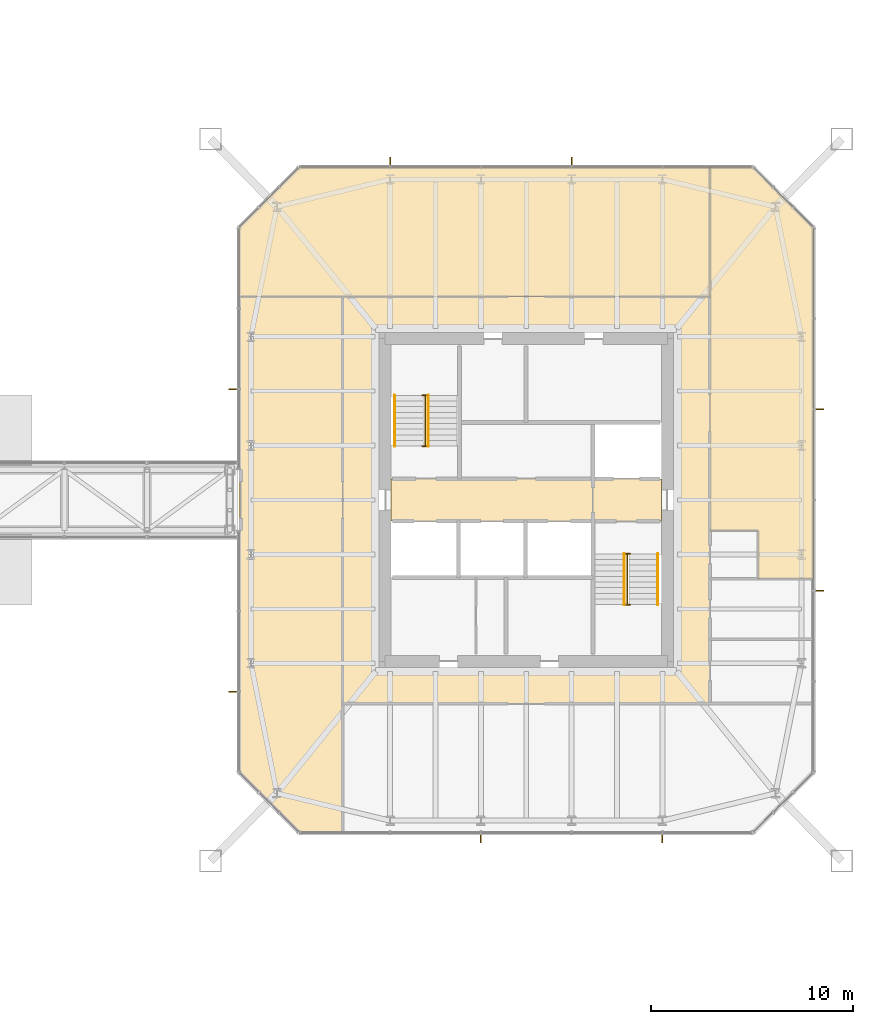
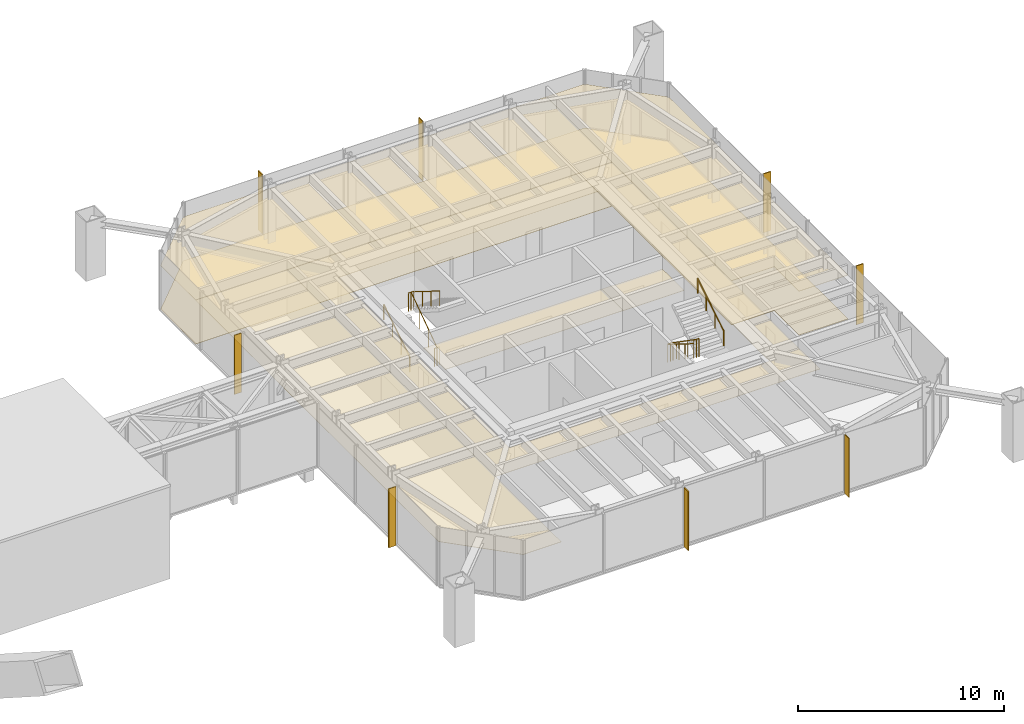
# One storey, part 28 of 28: 8 coverings, 8 shading devices, 6 railings.
"""IFC4 building model written with IfcOpenShell, lengths in metres."""

from ifc_helpers import new_model, si_unit, direction, frame, origin, origin_2d, place, context, subcontext, project, spatial, polyline, rectangle, circle, outline, extrude, material, layer, layer_set, constituent, constituent_set, type_object, element, save


model = new_model("IFC4")

# Units and contexts
model_context = context("Model", 3, precision=1e-05, world=origin(), true_north=direction((0.0, 1.0)))
body_context = subcontext(model_context, "Body", "Model", "MODEL_VIEW")
ifc_project = project(units=[si_unit("LENGTHUNIT", "METRE"), si_unit("AREAUNIT", "SQUARE_METRE"), si_unit("VOLUMEUNIT", "CUBIC_METRE"), si_unit("PLANEANGLEUNIT", "RADIAN"), si_unit("MASSUNIT", "GRAM", prefix="KILO")], contexts=[model_context])

# Site, building, storey
site_placement = place(None, origin())
site = spatial("IfcSite", under=ifc_project, at=site_placement, CompositionType="ELEMENT")
building_placement = place(site_placement, origin())
building = spatial("IfcBuilding", under=site, at=building_placement, Name="Iwan Alto Co-Living Towers", CompositionType="ELEMENT")
storey_placement = place(building_placement, frame((0.0, 0.0, 98.0)))
storey = spatial("IfcBuildingStorey", under=building, at=storey_placement, Name="L26", CompositionType="ELEMENT", Elevation=98.0)

# Coverings
ifc_material_1 = material(Name="Mineral fibre acoustic tiles on steel grid", Category="steel")
ifc_layer_1 = layer(ifc_material_1, 0.02001953125)
ifc_layer_set_1 = layer_set([ifc_layer_1], Name="ACOUSTIC TILE CEILING 20")
covering_type_1 = type_object("IfcCoveringType", Name="ACOUSTIC TILE CEILING 20", PredefinedType="CEILING", material=ifc_layer_set_1)
covering_1_placement = place(storey_placement, frame((0.0, 0.0, 2.60009765625)))
element("IfcCovering", 1, at=covering_1_placement, inside=storey, type_object=covering_type_1, Name="Ceiling Lift lobby L26", PredefinedType="CEILING", context=body_context, shape_type="SweptSolid", body=[
    extrude(outline(polyline([(56.300048828125, -1.050048828125), (56.300048828125, 1.050048828125), (66.300048828125, 1.050048828125), (66.300048828125, -1.050048828125), (56.300048828125, -1.050048828125)])), origin(), (0.0, 0.0, 1.0), 0.02001953125),
])
covering_2_placement = place(storey_placement, frame((0.0, 0.0, 2.60009765625)))
element("IfcCovering", 2, at=covering_2_placement, inside=storey, type_object=covering_type_1, Name="Ceiling Firefighting lobby L26", PredefinedType="CEILING", context=body_context, shape_type="SweptSolid", body=[
    extrude(outline(polyline([(66.300048828125, -1.050048828125), (66.300048828125, 1.050048828125), (69.699951171875, 1.050048828125), (69.699951171875, -1.050048828125), (66.300048828125, -1.050048828125)])), origin(), (0.0, 0.0, 1.0), 0.02001953125),
])
covering_3_placement = place(storey_placement, frame((0.0, 0.0, 2.60009765625)))
element("IfcCovering", 3, at=covering_3_placement, inside=storey, type_object=covering_type_1, Name="Ceiling Sky lobby and bridge landing L26", PredefinedType="CEILING", context=body_context, shape_type="SweptSolid", body=[
    extrude(outline(polyline([(53.89990234375, -16.5), (51.75, -16.5), (48.75, -13.5), (48.75, 10.10009765625), (53.89990234375, 10.10009765625), (53.89990234375, -16.5)])), origin(), (0.0, 0.0, 1.0), 0.02001953125),
])

# Shading devices
ifc_material_2 = material(Name="Aluminium 6063-T6 bronze anodised", Category="aluminium")
ifc_layer_2 = layer(ifc_material_2, 0.050048828125)
ifc_layer_set_2 = layer_set([ifc_layer_2], Name="BRONZE FIN 50X400")
shading_device_type = type_object("IfcShadingDeviceType", Name="BRONZE FIN 50X400", PredefinedType="USERDEFINED", material=ifc_layer_set_2)
for number, where, z_axis, x_axis, name in (
    (4, (60.75, -16.800048828125, 0.0), (0.0, 0.0, 1.0), (1.0, 0.0, 0.0), "Bronze fin L26"),
    (5, (69.75, -16.800048828125, 0.0), (0.0, 0.0, 1.0), (1.0, 0.0, 0.0), "Bronze fin L26"),
    (6, (77.550048828125, -4.5, 0.0), (0.0, 0.0, 1.0), (0.0, 1.0, 0.0), "Bronze fin L26"),
    (7, (77.550048828125, 4.5, 0.0), (0.0, 0.0, 1.0), (0.0, 1.0, 0.0), "Bronze fin L26"),
    (8, (65.25, 16.800048828125, 0.0), (0.0, 0.0, 1.0), (-1.0, 0.0, 0.0), "Bronze fin L26"),
    (9, (56.25, 16.800048828125, 0.0), (0.0, 0.0, 1.0), (-1.0, 0.0, 0.0), "Bronze fin L26"),
    (10, (48.449951171875, 5.5, 0.0), (0.0, 0.0, 1.0), (0.0, -1.0, 0.0), "Bronze fin L26"),
    (11, (48.449951171875, -9.5, 0.0), (0.0, 0.0, 1.0), (0.0, -1.0, 0.0), "Bronze fin L26"),
):
    element("IfcShadingDevice", number, at=place(storey_placement, frame(where, z_axis=z_axis, x_axis=x_axis)), inside=storey, type_object=shading_device_type, Name=name, ObjectType="LOUVER", PredefinedType="USERDEFINED", context=body_context, shape_type="SweptSolid", body=[
        extrude(rectangle(XDim=0.050048828125, YDim=0.39990234375, at=origin_2d()), origin(), (0.0, 0.0, 1.0), 3.5),
    ])

# Railings
ifc_material_3 = material(Name="Steel ASTM A500 Gr C", Category="steel")
ifc_constituent_1 = constituent(ifc_material_3, Name="Rails and posts", Category="Framing")
ifc_material_4 = material(Name="Steel ASTM A36", Category="steel")
ifc_constituent_2 = constituent(ifc_material_4, Name="Bar infill", Category="Infill")
ifc_constituent_set = constituent_set(constituents=[ifc_constituent_1, ifc_constituent_2], Name="STAIR GUARD 1100")
railing_type_1 = type_object("IfcRailingType", Name="STAIR GUARD 1100", PredefinedType="GUARDRAIL", material=ifc_constituent_set)
railing_1_placement = place(storey_placement, frame((58.0, 2.669921875, 0.0)))
element("IfcRailing", 12, at=railing_1_placement, inside=storey, type_object=railing_type_1, Name="Stair T2-S1 well guard L26", PredefinedType="GUARDRAIL", context=body_context, shape_type="SweptSolid", body=[
    extrude(circle(Radius=0.02392578125, at=origin_2d()), frame((0.0, 0.0, 1.076171875), z_axis=(0.0, 0.821372036852, 0.570392826987), x_axis=(-1.0, 0.0, 0.0)), (0.0, 0.0, 1.0), 3.068115234375),
    extrude(circle(Radius=0.02392578125, at=origin_2d()), frame((-0.14990234375, 0.0, 1.076171875), z_axis=(1.0, 0.0, 0.0), x_axis=(0.0, 1.0, 0.0)), (0.0, 0.0, 1.0), 0.2998046875),
    extrude(circle(Radius=0.02392578125, at=origin_2d()), frame((-0.14990234375, 2.52001953125, 2.826171875), z_axis=(1.0, 0.0, 0.0), x_axis=(0.0, 1.0, 0.0)), (0.0, 0.0, 1.0), 0.2998046875),
    extrude(circle(Radius=0.02099609375, at=origin_2d()), origin(), (0.0, 0.0, 1.0), 1.052001953125),
    extrude(circle(Radius=0.02099609375, at=origin_2d()), frame((0.0, 0.840087890625, 0.583251953125)), (0.0, 0.0, 1.0), 1.052001953125),
    extrude(circle(Radius=0.02099609375, at=origin_2d()), frame((0.0, 1.679931640625, 1.166748046875)), (0.0, 0.0, 1.0), 1.052001953125),
    extrude(circle(Radius=0.02099609375, at=origin_2d()), frame((0.0, 2.52001953125, 1.75)), (0.0, 0.0, 1.0), 1.052001953125),
    extrude(circle(Radius=0.02099609375, at=origin_2d()), frame((-0.14990234375, 0.0, 0.0)), (0.0, 0.0, 1.0), 1.052001953125),
    extrude(circle(Radius=0.02099609375, at=origin_2d()), frame((0.14990234375, 0.0, 0.0)), (0.0, 0.0, 1.0), 1.052001953125),
    extrude(circle(Radius=0.02099609375, at=origin_2d()), frame((-0.14990234375, 2.52001953125, 1.75)), (0.0, 0.0, 1.0), 1.052001953125),
    extrude(circle(Radius=0.02099609375, at=origin_2d()), frame((0.14990234375, 2.52001953125, 1.75)), (0.0, 0.0, 1.0), 1.052001953125),
])
railing_2_placement = place(storey_placement, frame((68.0, -2.669921875, 0.0)))
element("IfcRailing", 13, at=railing_2_placement, inside=storey, type_object=railing_type_1, Name="Stair T2-S2 well guard L26", PredefinedType="GUARDRAIL", context=body_context, shape_type="SweptSolid", body=[
    extrude(circle(Radius=0.02392578125, at=origin_2d()), frame((0.0, 0.0, 1.076171875), z_axis=(0.0, -0.821372036852, 0.570392826987), x_axis=(1.0, 0.0, 0.0)), (0.0, 0.0, 1.0), 3.068115234375),
    extrude(circle(Radius=0.02392578125, at=origin_2d()), frame((-0.14990234375, 0.0, 1.076171875), z_axis=(1.0, 0.0, 0.0), x_axis=(0.0, 1.0, 0.0)), (0.0, 0.0, 1.0), 0.2998046875),
    extrude(circle(Radius=0.02392578125, at=origin_2d()), frame((-0.14990234375, -2.52001953125, 2.826171875), z_axis=(1.0, 0.0, 0.0), x_axis=(0.0, 1.0, 0.0)), (0.0, 0.0, 1.0), 0.2998046875),
    extrude(circle(Radius=0.02099609375, at=origin_2d()), origin(), (0.0, 0.0, 1.0), 1.052001953125),
    extrude(circle(Radius=0.02099609375, at=origin_2d()), frame((0.0, -0.840087890625, 0.583251953125)), (0.0, 0.0, 1.0), 1.052001953125),
    extrude(circle(Radius=0.02099609375, at=origin_2d()), frame((0.0, -1.679931640625, 1.166748046875)), (0.0, 0.0, 1.0), 1.052001953125),
    extrude(circle(Radius=0.02099609375, at=origin_2d()), frame((0.0, -2.52001953125, 1.75)), (0.0, 0.0, 1.0), 1.052001953125),
    extrude(circle(Radius=0.02099609375, at=origin_2d()), frame((-0.14990234375, 0.0, 0.0)), (0.0, 0.0, 1.0), 1.052001953125),
    extrude(circle(Radius=0.02099609375, at=origin_2d()), frame((0.14990234375, 0.0, 0.0)), (0.0, 0.0, 1.0), 1.052001953125),
    extrude(circle(Radius=0.02099609375, at=origin_2d()), frame((-0.14990234375, -2.52001953125, 1.75)), (0.0, 0.0, 1.0), 1.052001953125),
    extrude(circle(Radius=0.02099609375, at=origin_2d()), frame((0.14990234375, -2.52001953125, 1.75)), (0.0, 0.0, 1.0), 1.052001953125),
])
ifc_material_5 = material(Name="Steel ASTM A500 Gr C", Category="steel")
railing_type_2 = type_object("IfcRailingType", Name="STAIR HANDRAIL 900", PredefinedType="HANDRAIL", material=ifc_material_5)
railing_3_placement = place(storey_placement, frame((56.469970703125, 2.669921875, 0.175048828125)))
element("IfcRailing", 14, at=railing_3_placement, inside=storey, type_object=railing_type_2, Name="Stair T2-S1 handrail 1 L26", PredefinedType="HANDRAIL", context=body_context, shape_type="SweptSolid", body=[
    extrude(circle(Radius=0.02392578125, at=origin_2d()), frame((0.0, 0.0, 0.8759765625), z_axis=(0.0, 0.848007534815, 0.529984170421), x_axis=(-1.0, 0.0, 0.0)), (0.0, 0.0, 1.0), 2.9716796875),
    extrude(circle(Radius=0.02099609375, at=origin_2d()), origin(), (0.0, 0.0, 1.0), 0.851806640625),
    extrude(circle(Radius=0.02099609375, at=origin_2d()), frame((0.0, 0.840087890625, 0.52490234375)), (0.0, 0.0, 1.0), 0.851806640625),
    extrude(circle(Radius=0.02099609375, at=origin_2d()), frame((0.0, 1.679931640625, 1.050048828125)), (0.0, 0.0, 1.0), 0.851806640625),
    extrude(circle(Radius=0.02099609375, at=origin_2d()), frame((0.0, 2.52001953125, 1.574951171875)), (0.0, 0.0, 1.0), 0.851806640625),
])
for number, where, name in (
    (15, (58.14990234375, 5.18994140625, 1.925048828125), "Stair T2-S1 handrail 2 L26"),
    (16, (67.85009765625, -2.669921875, 0.175048828125), "Stair T2-S2 handrail 1 L26"),
):
    element("IfcRailing", number, at=place(storey_placement, frame(where)), inside=storey, type_object=railing_type_2, Name=name, PredefinedType="HANDRAIL", context=body_context, shape_type="SweptSolid", body=[
        extrude(circle(Radius=0.02392578125, at=origin_2d()), frame((0.0, 0.0, 0.8759765625), z_axis=(0.0, -0.848007534815, 0.529984170421), x_axis=(1.0, 0.0, 0.0)), (0.0, 0.0, 1.0), 2.9716796875),
        extrude(circle(Radius=0.02099609375, at=origin_2d()), origin(), (0.0, 0.0, 1.0), 0.851806640625),
        extrude(circle(Radius=0.02099609375, at=origin_2d()), frame((0.0, -0.840087890625, 0.52490234375)), (0.0, 0.0, 1.0), 0.851806640625),
        extrude(circle(Radius=0.02099609375, at=origin_2d()), frame((0.0, -1.679931640625, 1.050048828125)), (0.0, 0.0, 1.0), 0.851806640625),
        extrude(circle(Radius=0.02099609375, at=origin_2d()), frame((0.0, -2.52001953125, 1.574951171875)), (0.0, 0.0, 1.0), 0.851806640625),
    ])
railing_4_placement = place(storey_placement, frame((69.530029296875, -5.18994140625, 1.925048828125)))
element("IfcRailing", 17, at=railing_4_placement, inside=storey, type_object=railing_type_2, Name="Stair T2-S2 handrail 2 L26", PredefinedType="HANDRAIL", context=body_context, shape_type="SweptSolid", body=[
    extrude(circle(Radius=0.02392578125, at=origin_2d()), frame((0.0, 0.0, 0.8759765625), z_axis=(0.0, 0.848007534815, 0.529984170421), x_axis=(-1.0, 0.0, 0.0)), (0.0, 0.0, 1.0), 2.9716796875),
    extrude(circle(Radius=0.02099609375, at=origin_2d()), origin(), (0.0, 0.0, 1.0), 0.851806640625),
    extrude(circle(Radius=0.02099609375, at=origin_2d()), frame((0.0, 0.840087890625, 0.52490234375)), (0.0, 0.0, 1.0), 0.851806640625),
    extrude(circle(Radius=0.02099609375, at=origin_2d()), frame((0.0, 1.679931640625, 1.050048828125)), (0.0, 0.0, 1.0), 0.851806640625),
    extrude(circle(Radius=0.02099609375, at=origin_2d()), frame((0.0, 2.52001953125, 1.574951171875)), (0.0, 0.0, 1.0), 0.851806640625),
])

# Coverings
ifc_material_6 = material(Name="Gypsum plasterboard on steel grid", Category="steel")
ifc_layer_3 = layer(ifc_material_6, 0.014892578125)
ifc_layer_set_3 = layer_set([ifc_layer_3], Name="SUSPENDED PLASTERBOARD CEILING 15")
covering_type_2 = type_object("IfcCoveringType", Name="SUSPENDED PLASTERBOARD CEILING 15", PredefinedType="CEILING", material=ifc_layer_set_3)
covering_4_placement = place(storey_placement, frame((0.0, 0.0, 2.60009765625)))
element("IfcCovering", 18, at=covering_4_placement, inside=storey, type_object=covering_type_2, Name="Ceiling Corridor L26", PredefinedType="CEILING", context=body_context, shape_type="SweptSolid", body=[
    extrude(outline(polyline([(53.89990234375, 10.10009765625), (72.10009765625, 10.10009765625), (72.10009765625, -10.10009765625), (53.89990234375, -10.10009765625), (53.89990234375, 10.10009765625)]), holes=[polyline([(55.699951171875, 8.300048828125), (55.699951171875, -8.300048828125), (70.300048828125, -8.300048828125), (70.300048828125, 8.300048828125), (55.699951171875, 8.300048828125)])]), origin(), (0.0, 0.0, 1.0), 0.014892578125),
])
ifc_material_7 = material(Name="Engineered oak boards")
ifc_layer_4 = layer(ifc_material_7, 0.02001953125)
ifc_layer_set_4 = layer_set([ifc_layer_4], Name="TIMBER FLOOR FINISH 20")
covering_type_3 = type_object("IfcCoveringType", Name="TIMBER FLOOR FINISH 20", PredefinedType="FLOORING", material=ifc_layer_set_4)
covering_5_placement = place(storey_placement, origin())
element("IfcCovering", 19, at=covering_5_placement, inside=storey, type_object=covering_type_3, Name="Floor finish Residents' study lounge L26", PredefinedType="FLOORING", context=body_context, shape_type="SweptSolid", body=[
    extrude(outline(polyline([(48.75, 10.10009765625), (48.75, 13.5), (51.75, 16.5), (72.10009765625, 16.5), (72.10009765625, 10.10009765625), (48.75, 10.10009765625)])), origin(), (0.0, 0.0, 1.0), 0.02001953125),
])
covering_6_placement = place(storey_placement, origin())
element("IfcCovering", 20, at=covering_6_placement, inside=storey, type_object=covering_type_3, Name="Floor finish Library lounge L26", PredefinedType="FLOORING", context=body_context, shape_type="SweptSolid", body=[
    extrude(outline(polyline([(74.5, -1.5), (72.10009765625, -1.5), (72.10009765625, 16.5), (74.25, 16.5), (77.25, 13.5), (77.25, -1.5), (77.25, -3.89990234375), (74.5, -3.89990234375), (74.5, -1.5)])), origin(), (0.0, 0.0, 1.0), 0.02001953125),
])
ifc_material_8 = material(Name="Walnut timber slats on acoustic backing", Category="wood")
ifc_layer_5 = layer(ifc_material_8, 0.02490234375)
ifc_layer_set_5 = layer_set([ifc_layer_5], Name="TIMBER SLAT CEILING 25")
covering_type_4 = type_object("IfcCoveringType", Name="TIMBER SLAT CEILING 25", PredefinedType="CEILING", material=ifc_layer_set_5)
covering_7_placement = place(storey_placement, frame((0.0, 0.0, 2.60009765625)))
element("IfcCovering", 21, at=covering_7_placement, inside=storey, type_object=covering_type_4, Name="Ceiling Residents' study lounge L26", PredefinedType="CEILING", context=body_context, shape_type="SweptSolid", body=[
    extrude(outline(polyline([(48.75, 10.10009765625), (48.75, 13.5), (51.75, 16.5), (72.10009765625, 16.5), (72.10009765625, 10.10009765625), (48.75, 10.10009765625)])), origin(), (0.0, 0.0, 1.0), 0.02490234375),
])
covering_8_placement = place(storey_placement, frame((0.0, 0.0, 2.60009765625)))
element("IfcCovering", 22, at=covering_8_placement, inside=storey, type_object=covering_type_4, Name="Ceiling Library lounge L26", PredefinedType="CEILING", context=body_context, shape_type="SweptSolid", body=[
    extrude(outline(polyline([(74.5, -1.5), (72.10009765625, -1.5), (72.10009765625, 16.5), (74.25, 16.5), (77.25, 13.5), (77.25, -1.5), (77.25, -3.89990234375), (74.5, -3.89990234375), (74.5, -1.5)])), origin(), (0.0, 0.0, 1.0), 0.02490234375),
])

save(model, "model.ifc")
